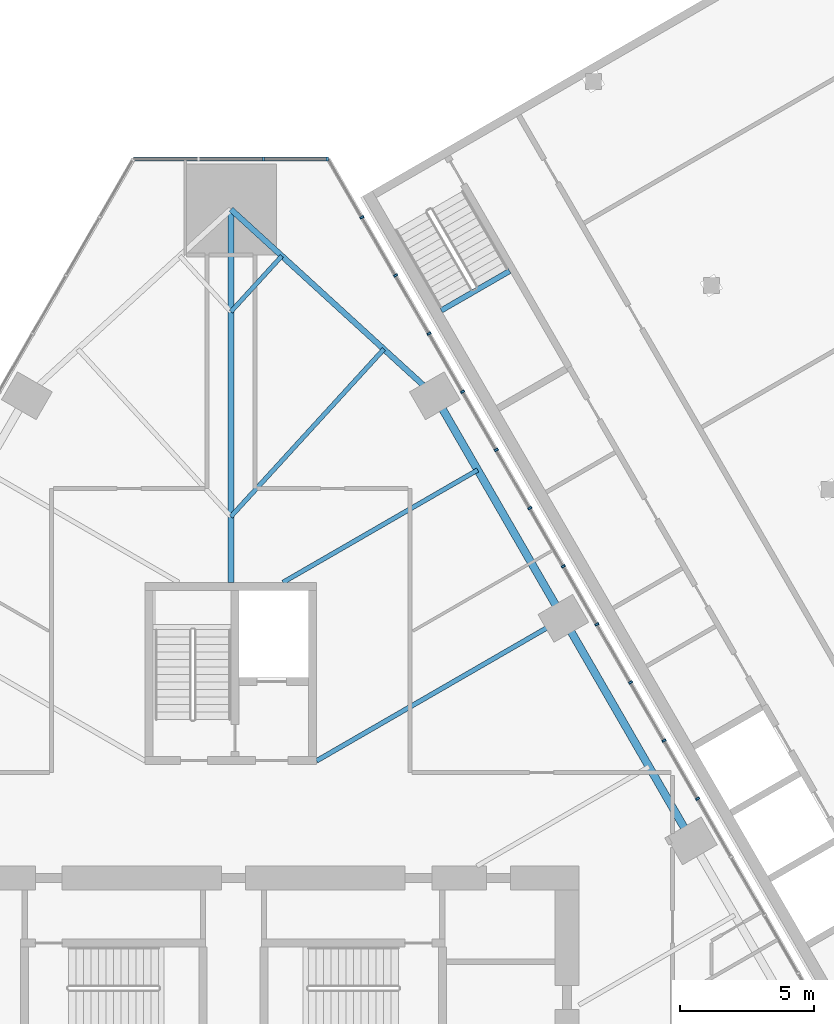
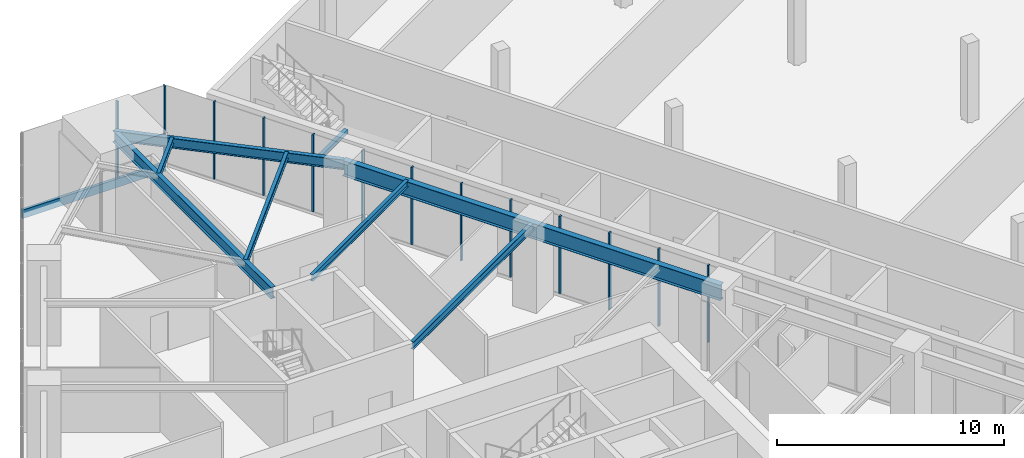
# One storey, part 12 of 29: 14 members, 8 beams, 2 elements without a shape of their own.
"""IFC4 building model written with IfcOpenShell, lengths in metres."""

import ifcopenshell
import ifcopenshell.guid

model = None  # the IFC model being written
_history = None  # IfcOwnerHistory: only IFC2X3 demands one
_inside = {}  # id of a spatial element -> (the spatial element, [elements in it])
_under = {}  # id of a project, library or spatial element -> (it, [spatial elements below it])
_declared = {}  # id of a project -> (the project, [libraries it declares])
_typed = {}  # id of a type object -> (the type object, [elements of that type])
_made_of = {}  # id of a material, layer set ... -> (it, [elements and type objects made of it])


def new_model(schema):
    """Start an empty IFC model of exactly this schema.

    Asked for "IFC4X3", IfcOpenShell would pick the latest addendum, in which some entities
    have other attributes; the version numbers below select the first issue.
    IFC2X3 requires an IfcOwnerHistory on every rooted entity: one is made here for all.
    """
    global model, _history
    if schema == "IFC4X3":
        model = ifcopenshell.file(schema_version=(4, 3, 0, 0))
    else:
        model = ifcopenshell.file(schema=schema)
    _inside.clear()
    _under.clear()
    _declared.clear()
    _typed.clear()
    _made_of.clear()
    _history = None
    if model.schema == "IFC2X3":
        org = make("IfcOrganization", Name="unknown")
        user = make(
            "IfcPersonAndOrganization",
            ThePerson=make("IfcPerson", FamilyName="unknown"),
            TheOrganization=org,
        )
        app = make(
            "IfcApplication",
            ApplicationDeveloper=org,
            Version="unknown",
            ApplicationFullName="unknown",
            ApplicationIdentifier="unknown",
        )
        _history = make(
            "IfcOwnerHistory",
            OwningUser=user,
            OwningApplication=app,
            ChangeAction="ADDED",
            CreationDate=0,
        )
    return model


def make(cls, **values):
    """One entity of the class cls with the attributes given. An attribute that is None is left unset."""
    return model.create_entity(
        cls, **{name: value for name, value in values.items() if value is not None}
    )


def rooted(cls, **values):
    """An entity with a GlobalId (a new one), such as an element, a storey or a relation."""
    return make(cls, GlobalId=ifcopenshell.guid.new(), OwnerHistory=_history, **values)


def si_unit(unit_type, name, prefix=None):
    """IfcSIUnit, for example si_unit("LENGTHUNIT", "METRE", prefix="MILLI")."""
    return make("IfcSIUnit", UnitType=unit_type, Prefix=prefix, Name=name)


def assignment(units):
    """IfcUnitAssignment: the units of a project."""
    return None if units is None else make("IfcUnitAssignment", Units=units)


def point(xyz):
    """IfcCartesianPoint."""
    return None if xyz is None else make("IfcCartesianPoint", Coordinates=xyz)


def direction(xyz):
    """IfcDirection."""
    return None if xyz is None else make("IfcDirection", DirectionRatios=xyz)


def frame(location, z_axis=None, x_axis=None):
    """IfcAxis2Placement3D, a coordinate frame: its origin and axes. An axis left out is left unset."""
    return make(
        "IfcAxis2Placement3D",
        Location=point(location),
        Axis=direction(z_axis),
        RefDirection=direction(x_axis),
    )


def frame_2d(location, x_axis=None):
    """IfcAxis2Placement2D, a coordinate frame in the plane: its origin and x axis."""
    return make(
        "IfcAxis2Placement2D", Location=point(location), RefDirection=direction(x_axis)
    )


def origin():
    """The frame at (0, 0, 0) with its axes left unset."""
    return frame((0.0, 0.0, 0.0))


def origin_2d():
    """The frame at (0, 0) in the plane with its x axis left unset."""
    return frame_2d((0.0, 0.0))


def place(relative_to, where):
    """IfcLocalPlacement: puts the frame where relative to a parent placement (None: the world)."""
    return make(
        "IfcLocalPlacement", PlacementRelTo=relative_to, RelativePlacement=where
    )


def context(
    kind, dimensions, precision=None, world=None, true_north=None, identifier=None
):
    """IfcGeometricRepresentationContext, for example the 3D "Model" context."""
    return make(
        "IfcGeometricRepresentationContext",
        ContextIdentifier=identifier,
        ContextType=kind,
        CoordinateSpaceDimension=dimensions,
        Precision=precision,
        WorldCoordinateSystem=world,
        TrueNorth=true_north,
    )


def subcontext(parent, identifier, kind, view, scale=None):
    """IfcGeometricRepresentationSubContext, for example "Body" below "Model"."""
    return make(
        "IfcGeometricRepresentationSubContext",
        ContextIdentifier=identifier,
        ContextType=kind,
        ParentContext=parent,
        TargetScale=scale,
        TargetView=view,
    )


def project(units=None, contexts=None):
    """IfcProject with its units and contexts."""
    return rooted(
        "IfcProject",
        Name="project",
        RepresentationContexts=contexts,
        UnitsInContext=assignment(units),
    )


def spatial(cls, under=None, at=None, **own):
    """A site, building, storey or space (cls), placed at a placement, below another one or the project."""
    s = rooted(cls, ObjectPlacement=at, **own)
    if under is not None:
        _under.setdefault(under.id(), (under, []))[1].append(s)
    return s


def profile(cls, at=None, kind="AREA", **sizes):
    """A parametric profile (cls). Its sizes go by their IFC names, for example OverallWidth=200.0."""
    return make(cls, ProfileType=kind, Position=at, **sizes)


def rectangle(**sizes):
    """IfcRectangleProfileDef."""
    return profile("IfcRectangleProfileDef", **sizes)


def i_section(**sizes):
    """IfcIShapeProfileDef."""
    return profile("IfcIShapeProfileDef", **sizes)


def extrude(swept, where, along, depth):
    """IfcExtrudedAreaSolid: the profile swept, set in the frame where, extruded along a direction by depth."""
    return make(
        "IfcExtrudedAreaSolid",
        SweptArea=swept,
        Position=where,
        ExtrudedDirection=direction(along),
        Depth=depth,
    )


def shape(context_of_items, identifier, shape_type, items):
    """IfcShapeRepresentation: the items that make up one representation, for example the "Body"."""
    return make(
        "IfcShapeRepresentation",
        ContextOfItems=context_of_items,
        RepresentationIdentifier=identifier,
        RepresentationType=shape_type,
        Items=items,
    )


def material(Name=None, Category=None):
    """IfcMaterial."""
    return make("IfcMaterial", Name=Name, Category=Category)


def layer(
    of_material, thickness, ventilated=None, Name=None, Category=None, Priority=None
):
    """IfcMaterialLayer: one layer of a wall or slab, of a material (None: an air gap)."""
    return make(
        "IfcMaterialLayer",
        Material=of_material,
        LayerThickness=thickness,
        IsVentilated=ventilated,
        Name=Name,
        Category=Category,
        Priority=Priority,
    )


def layer_set(layers, Name=None):
    """IfcMaterialLayerSet."""
    return make("IfcMaterialLayerSet", MaterialLayers=layers, LayerSetName=Name)


def material_profile(
    of_material, cross_section, Name=None, Category=None, Priority=None
):
    """IfcMaterialProfile: a cross section and its material."""
    return make(
        "IfcMaterialProfile",
        Name=Name,
        Material=of_material,
        Profile=cross_section,
        Priority=Priority,
        Category=Category,
    )


def profile_set(profiles, Name=None, composite=None):
    """IfcMaterialProfileSet."""
    return make(
        "IfcMaterialProfileSet",
        Name=Name,
        MaterialProfiles=profiles,
        CompositeProfile=composite,
    )


def made_of(thing, what):
    """Note that an element or type object is made of a material, layer set ...; save() writes the relation."""
    if what is not None:
        _made_of.setdefault(what.id(), (what, []))[1].append(thing)
    return thing


def type_object(cls, material=None, **own):
    """A type object (cls), such as IfcWallType, which elements share."""
    return made_of(rooted(cls, **own), material)


def element(
    cls,
    number,
    at=None,
    inside=None,
    cuts=None,
    type_object=None,
    material=None,
    context=None,
    identifier="Body",
    shape_type=None,
    held_by="IfcProductDefinitionShape",
    body=None,
    shapes=None,
    **own,
):
    """One element of the class cls, such as IfcWall. Its Tag is "e" and its number.

    at: its placement. inside: the storey or other place that contains it. cuts: it is an
    opening in that element (IfcRelVoidsElement). A single representation is given by context,
    identifier, shape_type and body (its items); several are given by shapes. held_by: the class
    of the entity that holds the representations. save() writes the other relations.
    """
    e = rooted(cls, Tag="e%d" % number, ObjectPlacement=at, **own)
    if body is not None:
        shapes = [shape(context, identifier, shape_type, body)]
    if shapes is not None:
        e.Representation = make(held_by, Representations=shapes)
    if inside is not None:
        _inside.setdefault(inside.id(), (inside, []))[1].append(e)
    if cuts is not None:
        rooted(
            "IfcRelVoidsElement", RelatingBuildingElement=cuts, RelatedOpeningElement=e
        )
    if type_object is not None:
        _typed.setdefault(type_object.id(), (type_object, []))[1].append(e)
    return made_of(e, material)


def aggregate(whole, parts):
    """IfcRelAggregates: a whole, such as a stair, and the parts it consists of."""
    return rooted("IfcRelAggregates", RelatingObject=whole, RelatedObjects=parts)


def save(model, path):
    """Write the relations noted so far, then the file.

    IfcRelAggregates (storeys below a building ...), IfcRelContainedInSpatialStructure (elements
    in a storey), IfcRelDefinesByType, IfcRelAssociatesMaterial and IfcRelDeclares: one each for
    every whole, place, type object, material and project.
    """
    for whole, parts in _under.values():
        aggregate(whole, parts)
    for where, things in _inside.values():
        rooted(
            "IfcRelContainedInSpatialStructure",
            RelatedElements=things,
            RelatingStructure=where,
        )
    for kind, things in _typed.values():
        rooted("IfcRelDefinesByType", RelatedObjects=things, RelatingType=kind)
    for what, things in _made_of.values():
        rooted("IfcRelAssociatesMaterial", RelatedObjects=things, RelatingMaterial=what)
    for by, libraries in _declared.values():
        rooted("IfcRelDeclares", RelatingContext=by, RelatedDefinitions=libraries)
    model.write(path)


model = new_model("IFC4")

# Units and contexts
model_context = context("Model", 3, precision=1e-05, world=origin(), true_north=direction((0.0, 1.0)))
body_context = subcontext(model_context, "Body", "Model", "MODEL_VIEW")
ifc_project = project(units=[si_unit("LENGTHUNIT", "METRE"), si_unit("AREAUNIT", "SQUARE_METRE"), si_unit("VOLUMEUNIT", "CUBIC_METRE"), si_unit("PLANEANGLEUNIT", "RADIAN"), si_unit("MASSUNIT", "GRAM", prefix="KILO")], contexts=[model_context])

# Site, building, storey
site_placement = place(None, origin())
site = spatial("IfcSite", under=ifc_project, at=site_placement, CompositionType="ELEMENT")
building_placement = place(site_placement, origin())
building = spatial("IfcBuilding", under=site, at=building_placement, Name="Firuza Gate Tower and Library", CompositionType="ELEMENT")
storey_placement = place(building_placement, frame((0.0, 0.0, 8.0)))
storey = spatial("IfcBuildingStorey", under=building, at=storey_placement, Name="L01", CompositionType="ELEMENT", Elevation=8.0)

# Curtain wall, members
ifc_material_1 = material(Name="Aluminium 6063-T6", Category="aluminium")
ifc_layer = layer(ifc_material_1, 0.14990234375)
ifc_layer_set = layer_set([ifc_layer], Name="Stick curtain wall, podium")
curtain_wall_type = type_object("IfcCurtainWallType", Name="Stick curtain wall, podium", PredefinedType="NOTDEFINED", material=ifc_layer_set)
placement = place(storey_placement, origin())
curtain_wall_1 = element("IfcCurtainWall", 1, at=placement, inside=storey, type_object=curtain_wall_type, Name="CW5 L01 E", PredefinedType="NOTDEFINED")
ifc_material_2 = material(Name="Aluminium 6063-T6", Category="aluminium")
ifc_material_profile_1 = material_profile(ifc_material_2, rectangle(XDim=0.14990234375, YDim=0.080078125, at=origin_2d()))
ifc_profile_set_1 = profile_set([ifc_material_profile_1], Name="Aluminium 6063-T6")
member_type_1 = type_object("IfcMemberType", Name="Curtain wall mullion 80x150", PredefinedType="MULLION", material=ifc_profile_set_1)
member_1_placement = place(storey_placement, frame((92.43798828125, 86.515869140625, 0.14990234375), z_axis=(0.0, 0.0, 1.0), x_axis=(-0.866025403784, -0.5, 0.0)))
member_1 = element("IfcMember", 2, at=member_1_placement, type_object=member_type_1, Name="Mullion", PredefinedType="MULLION", context=body_context, shape_type="SweptSolid", body=[
    extrude(rectangle(XDim=0.14990234375, YDim=0.080078125, at=origin_2d()), origin(), (0.0, 0.0, 1.0), 4.150146484375),
])
member_2_placement = place(storey_placement, frame((91.183837890625, 88.68798828125, 0.14990234375), z_axis=(0.0, 0.0, 1.0), x_axis=(-0.866025403784, -0.5, 0.0)))
member_2 = element("IfcMember", 3, at=member_2_placement, type_object=member_type_1, Name="Mullion", PredefinedType="MULLION", context=body_context, shape_type="SweptSolid", body=[
    extrude(rectangle(XDim=0.14990234375, YDim=0.080078125, at=origin_2d()), origin(), (0.0, 0.0, 1.0), 4.150146484375),
])
member_3_placement = place(storey_placement, frame((89.929931640625, 90.860107421875, 0.14990234375), z_axis=(0.0, 0.0, 1.0), x_axis=(-0.866025403784, -0.5, 0.0)))
member_3 = element("IfcMember", 4, at=member_3_placement, type_object=member_type_1, Name="Mullion", PredefinedType="MULLION", context=body_context, shape_type="SweptSolid", body=[
    extrude(rectangle(XDim=0.14990234375, YDim=0.080078125, at=origin_2d()), origin(), (0.0, 0.0, 1.0), 4.150146484375),
])
member_4_placement = place(storey_placement, frame((88.67578125, 93.0322265625, 0.14990234375), z_axis=(0.0, 0.0, 1.0), x_axis=(-0.866025403784, -0.5, 0.0)))
member_4 = element("IfcMember", 5, at=member_4_placement, type_object=member_type_1, Name="Mullion", PredefinedType="MULLION", context=body_context, shape_type="SweptSolid", body=[
    extrude(rectangle(XDim=0.14990234375, YDim=0.080078125, at=origin_2d()), origin(), (0.0, 0.0, 1.0), 4.150146484375),
])
member_5_placement = place(storey_placement, frame((87.421630859375, 95.2041015625, 0.14990234375), z_axis=(0.0, 0.0, 1.0), x_axis=(-0.866025403784, -0.5, 0.0)))
member_5 = element("IfcMember", 6, at=member_5_placement, type_object=member_type_1, Name="Mullion", PredefinedType="MULLION", context=body_context, shape_type="SweptSolid", body=[
    extrude(rectangle(XDim=0.14990234375, YDim=0.080078125, at=origin_2d()), origin(), (0.0, 0.0, 1.0), 4.150146484375),
])
member_6_placement = place(storey_placement, frame((86.167724609375, 97.376220703125, 0.14990234375), z_axis=(0.0, 0.0, 1.0), x_axis=(-0.866025403784, -0.5, 0.0)))
member_6 = element("IfcMember", 7, at=member_6_placement, type_object=member_type_1, Name="Mullion", PredefinedType="MULLION", context=body_context, shape_type="SweptSolid", body=[
    extrude(rectangle(XDim=0.14990234375, YDim=0.080078125, at=origin_2d()), origin(), (0.0, 0.0, 1.0), 4.150146484375),
])
member_7_placement = place(storey_placement, frame((84.91357421875, 99.54833984375, 0.14990234375), z_axis=(0.0, 0.0, 1.0), x_axis=(-0.866025403784, -0.5, 0.0)))
member_7 = element("IfcMember", 8, at=member_7_placement, type_object=member_type_1, Name="Mullion", PredefinedType="MULLION", context=body_context, shape_type="SweptSolid", body=[
    extrude(rectangle(XDim=0.14990234375, YDim=0.080078125, at=origin_2d()), origin(), (0.0, 0.0, 1.0), 4.150146484375),
])
member_8_placement = place(storey_placement, frame((83.659423828125, 101.720458984375, 0.14990234375), z_axis=(0.0, 0.0, 1.0), x_axis=(-0.866025403784, -0.5, 0.0)))
member_8 = element("IfcMember", 9, at=member_8_placement, type_object=member_type_1, Name="Mullion", PredefinedType="MULLION", context=body_context, shape_type="SweptSolid", body=[
    extrude(rectangle(XDim=0.14990234375, YDim=0.080078125, at=origin_2d()), origin(), (0.0, 0.0, 1.0), 4.150146484375),
])
member_9_placement = place(storey_placement, frame((82.405517578125, 103.892578125, 0.14990234375), z_axis=(0.0, 0.0, 1.0), x_axis=(-0.866025403784, -0.5, 0.0)))
member_9 = element("IfcMember", 10, at=member_9_placement, type_object=member_type_1, Name="Mullion", PredefinedType="MULLION", context=body_context, shape_type="SweptSolid", body=[
    extrude(rectangle(XDim=0.14990234375, YDim=0.080078125, at=origin_2d()), origin(), (0.0, 0.0, 1.0), 4.150146484375),
])
member_10_placement = place(storey_placement, frame((81.1513671875, 106.064697265625, 0.14990234375), z_axis=(0.0, 0.0, 1.0), x_axis=(-0.866025403784, -0.5, 0.0)))
member_10 = element("IfcMember", 11, at=member_10_placement, type_object=member_type_1, Name="Mullion", PredefinedType="MULLION", context=body_context, shape_type="SweptSolid", body=[
    extrude(rectangle(XDim=0.14990234375, YDim=0.080078125, at=origin_2d()), origin(), (0.0, 0.0, 1.0), 4.150146484375),
])
member_11_placement = place(storey_placement, frame((79.8974609375, 108.23681640625, 0.14990234375), z_axis=(0.0, 0.0, 1.0), x_axis=(-0.866025403784, -0.5, 0.0)))
member_11 = element("IfcMember", 12, at=member_11_placement, type_object=member_type_1, Name="Mullion", PredefinedType="MULLION", context=body_context, shape_type="SweptSolid", body=[
    extrude(rectangle(XDim=0.14990234375, YDim=0.080078125, at=origin_2d()), origin(), (0.0, 0.0, 1.0), 4.150146484375),
])
aggregate(curtain_wall_1, [member_1, member_2, member_3, member_4, member_5, member_6, member_7, member_8, member_9, member_10, member_11])

curtain_wall_2 = element("IfcCurtainWall", 13, at=placement, inside=storey, type_object=curtain_wall_type, Name="CW5 L01 N", PredefinedType="NOTDEFINED")
member_12_placement = place(storey_placement, frame((78.603271484375, 110.408935546875, 0.14990234375), z_axis=(0.0, 0.0, 1.0), x_axis=(0.0, -1.0, 0.0)))
member_12 = element("IfcMember", 14, at=member_12_placement, type_object=member_type_1, Name="Mullion", PredefinedType="MULLION", context=body_context, shape_type="SweptSolid", body=[
    extrude(rectangle(XDim=0.14990234375, YDim=0.080078125, at=origin_2d()), origin(), (0.0, 0.0, 1.0), 4.150146484375),
])
member_13_placement = place(storey_placement, frame((76.21435546875, 110.408935546875, 0.14990234375), z_axis=(0.0, 0.0, 1.0), x_axis=(0.0, -1.0, 0.0)))
member_13 = element("IfcMember", 15, at=member_13_placement, type_object=member_type_1, Name="Mullion", PredefinedType="MULLION", context=body_context, shape_type="SweptSolid", body=[
    extrude(rectangle(XDim=0.14990234375, YDim=0.080078125, at=origin_2d()), origin(), (0.0, 0.0, 1.0), 4.150146484375),
])
ifc_material_3 = material(Name="Aluminium 6063-T6", Category="aluminium")
ifc_material_profile_2 = material_profile(ifc_material_3, rectangle(XDim=0.14990234375, YDim=0.449951171875, at=origin_2d()))
ifc_profile_set_2 = profile_set([ifc_material_profile_2], Name="Aluminium 6063-T6")
member_type_2 = type_object("IfcMemberType", Name="Curtain wall transom 450x150", PredefinedType="USERDEFINED", material=ifc_profile_set_2)
member_14_placement = place(storey_placement, frame((78.643310546875, 110.408935546875, -0.074951171875), z_axis=(-1.0, 0.0, 0.0), x_axis=(0.0, -1.0, 0.0)))
member_14 = element("IfcMember", 16, at=member_14_placement, type_object=member_type_2, Name="Transom", ObjectType="TRANSOM", PredefinedType="USERDEFINED", context=body_context, shape_type="SweptSolid", body=[
    extrude(rectangle(XDim=0.14990234375, YDim=0.449951171875, at=origin_2d()), origin(), (0.0, 0.0, 1.0), 7.28662109375),
])
aggregate(curtain_wall_2, [member_12, member_13, member_14])

# Beams
ifc_material_4 = material(Name="Concrete C40/50", Category="concrete")
ifc_material_profile_3 = material_profile(ifc_material_4, rectangle(XDim=0.199951171875, YDim=0.199951171875, at=origin_2d()))
ifc_profile_set_3 = profile_set([ifc_material_profile_3], Name="Concrete C40/50")
beam_type_1 = type_object("IfcBeamType", Name="LIB LANDING BEARER 200X200", PredefinedType="BEAM", material=ifc_profile_set_3)
beam_1_placement = place(storey_placement, frame((82.859375, 104.75634765625, 2.0), z_axis=(0.866060182126, 0.499939757307, 0.0), x_axis=(-0.499939757307, 0.866060182126, 0.0)))
element("IfcBeam", 17, at=beam_1_placement, inside=storey, type_object=beam_type_1, Name="LIB-ST-A landing bearer L01", PredefinedType="BEAM", context=body_context, shape_type="SweptSolid", body=[
    extrude(rectangle(XDim=0.199951171875, YDim=0.199951171875, at=origin_2d()), origin(), (0.0, 0.0, 1.0), 2.949951171875),
])
ifc_material_5 = material(Name="Steel S355", Category="steel")
ifc_material_profile_4 = material_profile(ifc_material_5, i_section(OverallWidth=0.1650390625, OverallDepth=0.31005859375, WebThickness=0.005859375, FlangeThickness=0.009765625, at=origin_2d()))
ifc_profile_set_4 = profile_set([ifc_material_profile_4], Name="Steel S355")
beam_type_2 = type_object("IfcBeamType", Name="W310x39 Floor beam", PredefinedType="JOIST", material=ifc_profile_set_4)
beam_2_placement = place(storey_placement, frame((76.905029296875, 106.79296875, 4.14501953125), z_axis=(-0.674533736892, -0.738244023203, 0.0), x_axis=(0.738244023203, -0.674533736892, 0.0)))
element("IfcBeam", 18, at=beam_2_placement, inside=storey, type_object=beam_type_2, Name="Floor beam L01 s81", PredefinedType="JOIST", context=body_context, shape_type="SweptSolid", body=[
    extrude(i_section(OverallWidth=0.1650390625, OverallDepth=0.31005859375, WebThickness=0.005859375, FlangeThickness=0.009765625, at=origin_2d()), origin(), (0.0, 0.0, 1.0), 2.82421875),
])
ifc_material_6 = material(Name="Steel S355", Category="steel")
ifc_material_profile_5 = material_profile(ifc_material_6, i_section(OverallWidth=0.1708984375, OverallDepth=0.35498046875, WebThickness=0.007080078125, FlangeThickness=0.01171875, at=origin_2d()))
ifc_profile_set_5 = profile_set([ifc_material_profile_5], Name="Steel S355")
beam_type_3 = type_object("IfcBeamType", Name="W360x51 Floor beam", PredefinedType="JOIST", material=ifc_profile_set_5)
beam_3_placement = place(storey_placement, frame((84.220458984375, 98.798828125, 4.12255859375), z_axis=(-0.866019517829, -0.500010194636, 0.0), x_axis=(0.500010194636, -0.866019517829, 0.0)))
element("IfcBeam", 19, at=beam_3_placement, inside=storey, type_object=beam_type_3, Name="Floor beam L01 s75", PredefinedType="JOIST", context=body_context, shape_type="SweptSolid", body=[
    extrude(i_section(OverallWidth=0.1708984375, OverallDepth=0.35498046875, WebThickness=0.007080078125, FlangeThickness=0.01171875, at=origin_2d()), origin(), (0.0, 0.0, 1.0), 8.397216796875),
])
beam_4_placement = place(storey_placement, frame((80.71533203125, 103.31103515625, 4.12255859375), z_axis=(-0.674578139258, -0.7382034503, 0.0), x_axis=(0.7382034503, -0.674578139258, 0.0)))
element("IfcBeam", 20, at=beam_4_placement, inside=storey, type_object=beam_type_3, Name="Floor beam L01 s80", PredefinedType="JOIST", context=body_context, shape_type="SweptSolid", body=[
    extrude(i_section(OverallWidth=0.1708984375, OverallDepth=0.35498046875, WebThickness=0.007080078125, FlangeThickness=0.01171875, at=origin_2d()), origin(), (0.0, 0.0, 1.0), 8.472412109375),
])
ifc_material_7 = material(Name="Steel S355", Category="steel")
ifc_material_profile_6 = material_profile(ifc_material_7, i_section(OverallWidth=0.177978515625, OverallDepth=0.406982421875, WebThickness=0.0078125, FlangeThickness=0.0126953125, at=origin_2d()))
ifc_profile_set_6 = profile_set([ifc_material_profile_6], Name="Steel S355")
beam_type_4 = type_object("IfcBeamType", Name="W410x60 Floor beam", PredefinedType="JOIST", material=ifc_profile_set_6)
beam_5_placement = place(storey_placement, frame((87.420654296875, 93.256103515625, 4.096435546875), z_axis=(-0.866029027547, -0.499993723407, 0.0), x_axis=(0.499993723407, -0.866029027547, 0.0)))
element("IfcBeam", 21, at=beam_5_placement, inside=storey, type_object=beam_type_4, Name="Floor beam L01 s74", PredefinedType="JOIST", context=body_context, shape_type="SweptSolid", body=[
    extrude(i_section(OverallWidth=0.177978515625, OverallDepth=0.406982421875, WebThickness=0.0078125, FlangeThickness=0.0126953125, at=origin_2d()), origin(), (0.0, 0.0, 1.0), 10.647216796875),
])
ifc_material_8 = material(Name="Steel S355", Category="steel")
ifc_material_profile_7 = material_profile(ifc_material_8, i_section(OverallWidth=0.212890625, OverallDepth=0.5390625, WebThickness=0.01171875, FlangeThickness=0.018798828125, at=origin_2d()))
ifc_profile_set_7 = profile_set([ifc_material_profile_7], Name="Steel S355")
beam_type_5 = type_object("IfcBeamType", Name="W530x109 Edge beam", PredefinedType="SPANDREL", material=ifc_profile_set_7)
beam_6_placement = place(storey_placement, frame((82.62060546875, 101.570068359375, 4.030517578125), z_axis=(-0.738199730284, 0.674582210118, 0.0), x_axis=(-0.674582210118, -0.738199730284, 0.0)))
element("IfcBeam", 22, at=beam_6_placement, inside=storey, type_object=beam_type_5, Name="Edge beam L01 e80", PredefinedType="SPANDREL", context=body_context, shape_type="SweptSolid", body=[
    extrude(i_section(OverallWidth=0.212890625, OverallDepth=0.5390625, WebThickness=0.01171875, FlangeThickness=0.018798828125, at=origin_2d()), origin(), (0.0, 0.0, 1.0), 10.3232421875),
])
ifc_material_9 = material(Name="Steel S355", Category="steel")
ifc_material_profile_8 = material_profile(ifc_material_9, i_section(OverallWidth=0.22802734375, OverallDepth=0.60302734375, WebThickness=0.010498046875, FlangeThickness=0.014892578125, at=origin_2d()))
ifc_profile_set_8 = profile_set([ifc_material_profile_8], Name="Steel S355")
beam_type_6 = type_object("IfcBeamType", Name="W610x101 Girder", PredefinedType="BEAM", material=ifc_profile_set_8)
beam_7_placement = place(storey_placement, frame((75.0, 108.533935546875, 3.99853515625), z_axis=(0.0, -1.0, 0.0), x_axis=(1.0, 0.0, 0.0)))
element("IfcBeam", 23, at=beam_7_placement, inside=storey, type_object=beam_type_6, Name="Girder L01 gN", PredefinedType="BEAM", context=body_context, shape_type="SweptSolid", body=[
    extrude(i_section(OverallWidth=0.22802734375, OverallDepth=0.60302734375, WebThickness=0.010498046875, FlangeThickness=0.014892578125, at=origin_2d()), origin(), (0.0, 0.0, 1.0), 13.933837890625),
])
ifc_material_10 = material(Name="Steel S355", Category="steel")
ifc_material_profile_9 = material_profile(ifc_material_10, i_section(OverallWidth=0.2919921875, OverallDepth=0.8349609375, WebThickness=0.013916015625, FlangeThickness=0.018798828125, at=origin_2d()))
ifc_profile_set_9 = profile_set([ifc_material_profile_9], Name="Steel S355")
beam_type_7 = type_object("IfcBeamType", Name="W840x176 Edge beam", PredefinedType="SPANDREL", material=ifc_profile_set_9)
beam_8_placement = place(storey_placement, frame((92.220458984375, 84.9423828125, 3.882568359375), z_axis=(-0.499994327668, 0.866028678682, 0.0), x_axis=(-0.866028678682, -0.499994327668, 0.0)))
element("IfcBeam", 24, at=beam_8_placement, inside=storey, type_object=beam_type_7, Name="Edge beam L01 e72", PredefinedType="SPANDREL", context=body_context, shape_type="SweptSolid", body=[
    extrude(i_section(OverallWidth=0.2919921875, OverallDepth=0.8349609375, WebThickness=0.013916015625, FlangeThickness=0.018798828125, at=origin_2d()), origin(), (0.0, 0.0, 1.0), 19.199951171875),
])

save(model, "model.ifc")
